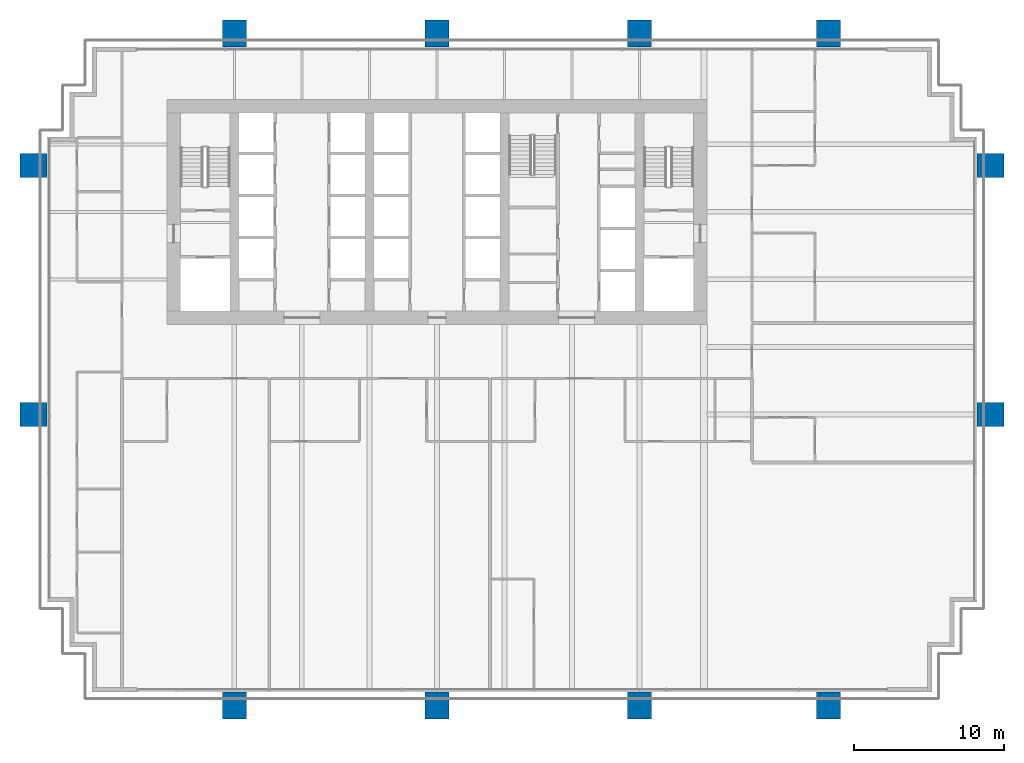
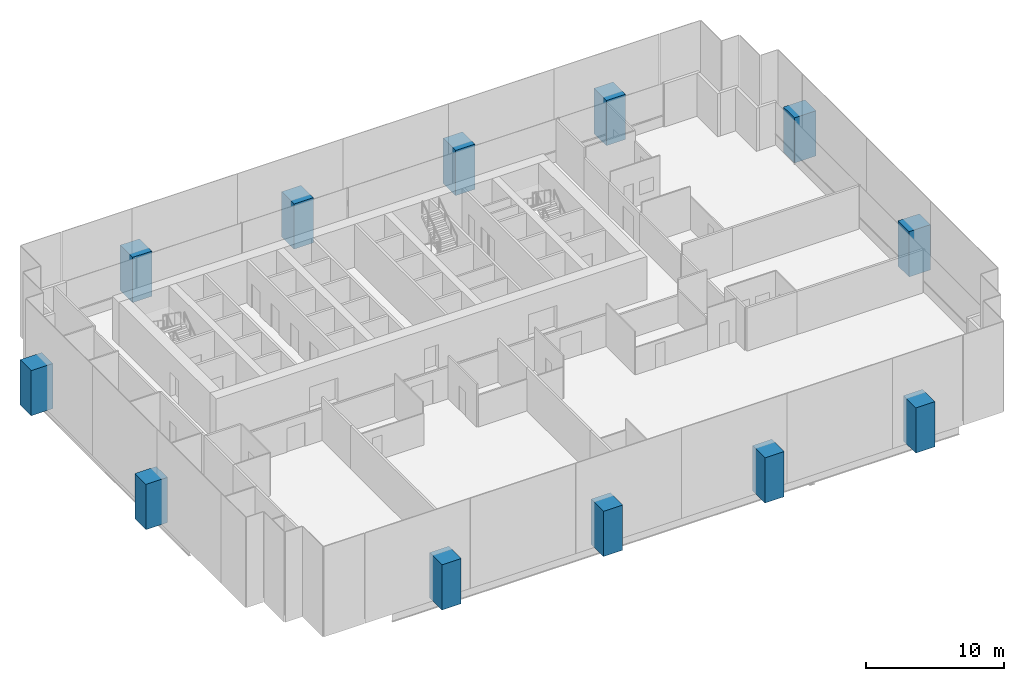
# One storey, part 1 of 19: 12 columns.
"""IFC4 building model written with IfcOpenShell, lengths in metres."""

from ifc_helpers import new_model, si_unit, direction, frame, origin, origin_2d, place, context, subcontext, project, spatial, rectangle, extrude, material, material_profile, profile_set, type_object, element, save


model = new_model("IFC4")

# Units and contexts
model_context = context("Model", 3, precision=1e-05, world=origin(), true_north=direction((0.0, 1.0)))
body_context = subcontext(model_context, "Body", "Model", "MODEL_VIEW")
ifc_project = project(units=[si_unit("LENGTHUNIT", "METRE"), si_unit("AREAUNIT", "SQUARE_METRE"), si_unit("VOLUMEUNIT", "CUBIC_METRE"), si_unit("PLANEANGLEUNIT", "RADIAN"), si_unit("MASSUNIT", "GRAM", prefix="KILO")], contexts=[model_context])

# Site, building, storey
site_placement = place(None, origin())
site = spatial("IfcSite", under=ifc_project, at=site_placement, CompositionType="ELEMENT")
building_placement = place(site_placement, origin())
building = spatial("IfcBuilding", under=site, at=building_placement, Name="Rattan Terrace Tower", CompositionType="ELEMENT")
storey_placement = place(building_placement, frame((0.0, 0.0, 79.699951171875)))
storey = spatial("IfcBuildingStorey", under=building, at=storey_placement, Name="L17", CompositionType="ELEMENT", Elevation=79.699951171875)

# Columns
ifc_material = material(Name="Concrete C60/75", Category="concrete")
ifc_material_profile = material_profile(ifc_material, rectangle(XDim=1.60009765625, YDim=1.800048828125, at=origin_2d()), Name="CFT 1800x1600")
ifc_profile_set = profile_set([ifc_material_profile], Name="Concrete C60/75")
column_type = type_object("IfcColumnType", Name="Frame exoskeleton column CFT 1800x1600", PredefinedType="COLUMN", material=ifc_profile_set)
for number, where, z_axis, x_axis, name in (
    (1, (-13.5, -32.89990234375, -0.199951171875), (0.0, 0.0, 1.0), (1.0, 0.0, 0.0), "exo-L17-001"),
    (2, (0.0, -32.89990234375, -0.199951171875), (0.0, 0.0, 1.0), (1.0, 0.0, 0.0), "exo-L17-002"),
    (3, (13.5, -32.89990234375, -0.199951171875), (0.0, 0.0, 1.0), (1.0, 0.0, 0.0), "exo-L17-003"),
    (4, (26.10009765625, -32.89990234375, -0.199951171875), (0.0, 0.0, 1.0), (1.0, 0.0, 0.0), "exo-L17-004"),
    (5, (-26.89990234375, -13.5, -0.199951171875), (0.0, 0.0, 1.0), (0.0, 1.0, 0.0), "exo-L17-005"),
    (6, (36.89990234375, -13.5, -0.199951171875), (0.0, 0.0, 1.0), (0.0, 1.0, 0.0), "exo-L17-006"),
    (7, (-26.89990234375, 3.10009765625, -0.199951171875), (0.0, 0.0, 1.0), (0.0, 1.0, 0.0), "exo-L17-007"),
    (8, (36.89990234375, 3.10009765625, -0.199951171875), (0.0, 0.0, 1.0), (0.0, 1.0, 0.0), "exo-L17-008"),
    (9, (-13.5, 11.89990234375, -0.199951171875), (0.0, 0.0, 1.0), (1.0, 0.0, 0.0), "exo-L17-009"),
    (10, (0.0, 11.89990234375, -0.199951171875), (0.0, 0.0, 1.0), (1.0, 0.0, 0.0), "exo-L17-010"),
    (11, (13.5, 11.89990234375, -0.199951171875), (0.0, 0.0, 1.0), (1.0, 0.0, 0.0), "exo-L17-011"),
    (12, (26.10009765625, 11.89990234375, -0.199951171875), (0.0, 0.0, 1.0), (1.0, 0.0, 0.0), "exo-L17-012"),
):
    element("IfcColumn", number, at=place(storey_placement, frame(where, z_axis=z_axis, x_axis=x_axis)), inside=storey, type_object=column_type, Name=name, PredefinedType="COLUMN", context=body_context, shape_type="SweptSolid", body=[
        extrude(rectangle(XDim=1.60009765625, YDim=1.800048828125, at=origin_2d()), origin(), (0.0, 0.0, 1.0), 4.0),
    ])

save(model, "model.ifc")
